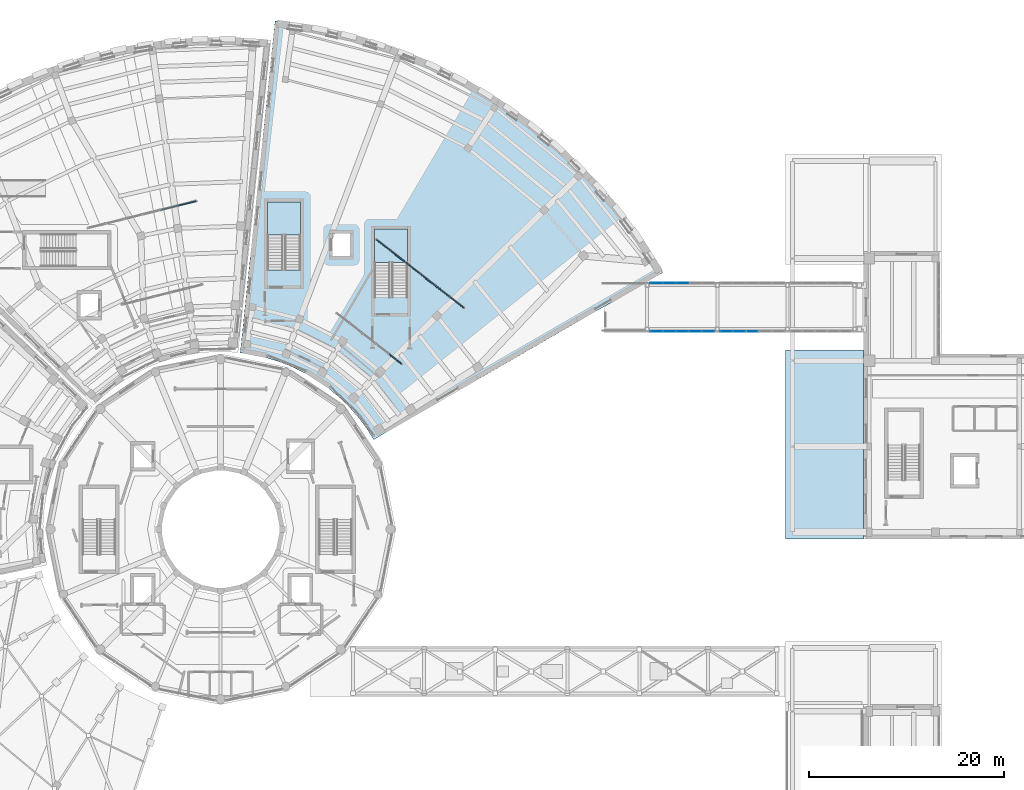
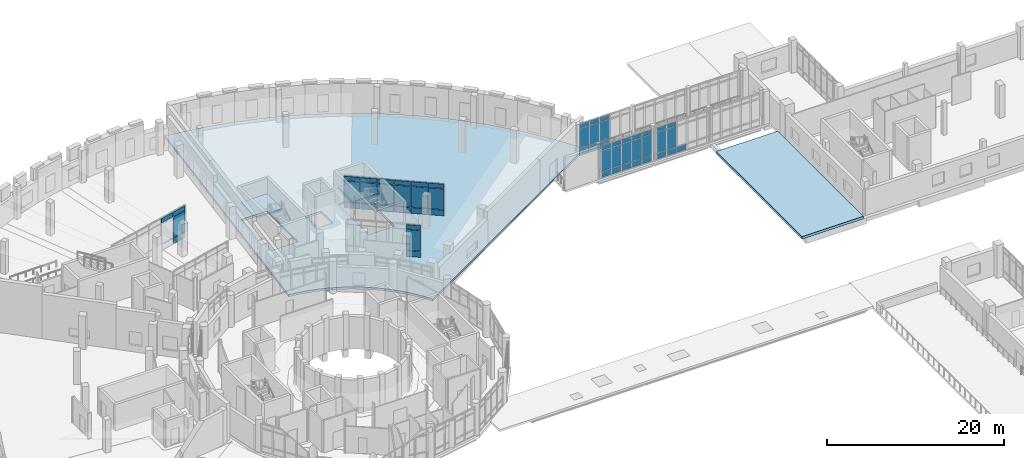
# One storey, part 42 of 75: 56 plates, 4 slabs, 8 elements without a shape of their own.
"""IFC4 building model written with IfcOpenShell, lengths in metres."""

from ifc_helpers import new_model, si_unit, direction, frame, origin, origin_2d, place, context, subcontext, project, spatial, polyline, rectangle, outline, extrude, material, layer, layer_set, type_object, element, aggregate, save


model = new_model("IFC4")

# Units and contexts
model_context = context("Model", 3, precision=1e-05, world=origin(), true_north=direction((0.0, 1.0)))
body_context = subcontext(model_context, "Body", "Model", "MODEL_VIEW")
ifc_project = project(units=[si_unit("LENGTHUNIT", "METRE"), si_unit("AREAUNIT", "SQUARE_METRE"), si_unit("VOLUMEUNIT", "CUBIC_METRE"), si_unit("PLANEANGLEUNIT", "RADIAN"), si_unit("MASSUNIT", "GRAM", prefix="KILO")], contexts=[model_context])

# Site, building, storey
site_placement = place(None, origin())
site = spatial("IfcSite", under=ifc_project, at=site_placement, CompositionType="ELEMENT")
building_placement = place(site_placement, origin())
building = spatial("IfcBuilding", under=site, at=building_placement, Name="Soyqirgoq Riverine Aquarium", CompositionType="ELEMENT")
storey_placement = place(building_placement, frame((0.0, 0.0, 10.199951171875)))
storey = spatial("IfcBuildingStorey", under=building, at=storey_placement, Name="L03", CompositionType="ELEMENT", Elevation=10.199951171875)

# Curtain wall, plates
ifc_material_1 = material(Name="Cast polymethyl methacrylate PMMA Habitat Viewing Glazing", Category="glass")
curtain_wall_type_1 = type_object("IfcCurtainWallType", Name="CW_Interior_TankVitrine", PredefinedType="NOTDEFINED", material=ifc_material_1)
curtain_wall_1_placement = place(storey_placement, origin())
curtain_wall_1 = element("IfcCurtainWall", 1, at=curtain_wall_1_placement, inside=storey, type_object=curtain_wall_type_1, Name="V4 L03 Curtain Wall 156", PredefinedType="NOTDEFINED")
ifc_material_2 = material(Name="Cast polymethyl methacrylate PMMA", Category="glass")
ifc_layer_1 = layer(ifc_material_2, 0.1201171875)
ifc_layer_set_1 = layer_set([ifc_layer_1], Name="Cast polymethyl methacrylate PMMA")
plate_type_1 = type_object("IfcPlateType", Name="CWAcrylicPanel_120", PredefinedType="CURTAIN_PANEL", material=ifc_layer_set_1)
plate_1_placement = place(storey_placement, frame((52.5927734375, 90.4560546875, 0.074951171875), z_axis=(0.0, 0.0, 1.0), x_axis=(-0.970294737313, -0.241925862079, 0.0)))
plate_1 = element("IfcPlate", 2, at=plate_1_placement, type_object=plate_type_1, Name="CW-07 panel 1.1", PredefinedType="CURTAIN_PANEL", context=body_context, shape_type="SweptSolid", body=[
    extrude(rectangle(XDim=1.80322265625, YDim=0.1201171875, at=origin_2d()), origin(), (0.0, 0.0, 1.0), 0.78759765625),
])
plate_2_placement = place(storey_placement, frame((52.5927734375, 90.4560546875, 0.9375), z_axis=(0.0, 0.0, 1.0), x_axis=(-0.970294737313, -0.241925862079, 0.0)))
plate_2 = element("IfcPlate", 3, at=plate_2_placement, type_object=plate_type_1, Name="CW-07 panel 1.2", PredefinedType="CURTAIN_PANEL", context=body_context, shape_type="SweptSolid", body=[
    extrude(rectangle(XDim=1.80322265625, YDim=0.1201171875, at=origin_2d()), origin(), (0.0, 0.0, 1.0), 2.844970703125),
])
plate_3_placement = place(storey_placement, frame((52.5927734375, 90.4560546875, 3.857666015625), z_axis=(0.0, 0.0, 1.0), x_axis=(-0.970294737313, -0.241925862079, 0.0)))
plate_3 = element("IfcPlate", 4, at=plate_3_placement, type_object=plate_type_1, Name="CW-07 panel 1.3", PredefinedType="CURTAIN_PANEL", context=body_context, shape_type="SweptSolid", body=[
    extrude(rectangle(XDim=1.80322265625, YDim=0.1201171875, at=origin_2d()), origin(), (0.0, 0.0, 1.0), 0.58740234375),
])
plate_4_placement = place(storey_placement, frame((50.746337890625, 89.99560546875, 3.857666015625), z_axis=(0.0, 0.0, 1.0), x_axis=(-0.970294737313, -0.241925862079, 0.0)))
plate_4 = element("IfcPlate", 5, at=plate_4_placement, type_object=plate_type_1, Name="CW-07 panel 2.3", PredefinedType="CURTAIN_PANEL", context=body_context, shape_type="SweptSolid", body=[
    extrude(rectangle(XDim=1.843017578125, YDim=0.1201171875, at=origin_2d()), origin(), (0.0, 0.0, 1.0), 0.58740234375),
])
aggregate(curtain_wall_1, [plate_1, plate_2, plate_3, plate_4])

curtain_wall_2_placement = place(storey_placement, origin())
curtain_wall_2 = element("IfcCurtainWall", 6, at=curtain_wall_2_placement, inside=storey, type_object=curtain_wall_type_1, Name="V5 L03 Curtain Wall 161", PredefinedType="NOTDEFINED")
plate_5_placement = place(storey_placement, frame((73.958740234375, 74.46240234375, 0.074951171875), z_axis=(0.0, 0.0, 1.0), x_axis=(-0.788011077449, 0.615661060826, 0.0)))
plate_5 = element("IfcPlate", 7, at=plate_5_placement, type_object=plate_type_1, Name="CW-07 panel 1.1", PredefinedType="CURTAIN_PANEL", context=body_context, shape_type="SweptSolid", body=[
    extrude(rectangle(XDim=1.59033203125, YDim=0.1201171875, at=origin_2d()), origin(), (0.0, 0.0, 1.0), 0.78759765625),
])
plate_6_placement = place(storey_placement, frame((73.958740234375, 74.46240234375, 0.9375), z_axis=(0.0, 0.0, 1.0), x_axis=(-0.788011077449, 0.615661060826, 0.0)))
plate_6 = element("IfcPlate", 8, at=plate_6_placement, type_object=plate_type_1, Name="CW-07 panel 1.2", PredefinedType="CURTAIN_PANEL", context=body_context, shape_type="SweptSolid", body=[
    extrude(rectangle(XDim=1.59033203125, YDim=0.1201171875, at=origin_2d()), origin(), (0.0, 0.0, 1.0), 2.844970703125),
])
plate_7_placement = place(storey_placement, frame((73.958740234375, 74.46240234375, 3.857666015625), z_axis=(0.0, 0.0, 1.0), x_axis=(-0.788011077449, 0.615661060826, 0.0)))
plate_7 = element("IfcPlate", 9, at=plate_7_placement, type_object=plate_type_1, Name="CW-07 panel 1.3", PredefinedType="CURTAIN_PANEL", context=body_context, shape_type="SweptSolid", body=[
    extrude(rectangle(XDim=1.59033203125, YDim=0.1201171875, at=origin_2d()), origin(), (0.0, 0.0, 1.0), 0.58740234375),
])
aggregate(curtain_wall_2, [plate_5, plate_6, plate_7])

curtain_wall_3_placement = place(storey_placement, origin())
curtain_wall_3 = element("IfcCurtainWall", 10, at=curtain_wall_3_placement, inside=storey, type_object=curtain_wall_type_1, Name="V5 L03 Curtain Wall 162", PredefinedType="NOTDEFINED")
plate_8_placement = place(storey_placement, frame((80.26611328125, 80.282470703125, 0.074951171875), z_axis=(0.0, 0.0, 1.0), x_axis=(-0.788015701833, 0.615655141832, 0.0)))
plate_8 = element("IfcPlate", 11, at=plate_8_placement, type_object=plate_type_1, Name="CW-07 panel 1.1", PredefinedType="CURTAIN_PANEL", context=body_context, shape_type="SweptSolid", body=[
    extrude(rectangle(XDim=1.802978515625, YDim=0.1201171875, at=origin_2d()), origin(), (0.0, 0.0, 1.0), 0.78759765625),
])
plate_9_placement = place(storey_placement, frame((80.26611328125, 80.282470703125, 0.9375), z_axis=(0.0, 0.0, 1.0), x_axis=(-0.788015701833, 0.615655141832, 0.0)))
plate_9 = element("IfcPlate", 12, at=plate_9_placement, type_object=plate_type_1, Name="CW-07 panel 1.2", PredefinedType="CURTAIN_PANEL", context=body_context, shape_type="SweptSolid", body=[
    extrude(rectangle(XDim=1.802978515625, YDim=0.1201171875, at=origin_2d()), origin(), (0.0, 0.0, 1.0), 2.844970703125),
])
plate_10_placement = place(storey_placement, frame((80.26611328125, 80.282470703125, 3.857666015625), z_axis=(0.0, 0.0, 1.0), x_axis=(-0.788015701833, 0.615655141832, 0.0)))
plate_10 = element("IfcPlate", 13, at=plate_10_placement, type_object=plate_type_1, Name="CW-07 panel 1.3", PredefinedType="CURTAIN_PANEL", context=body_context, shape_type="SweptSolid", body=[
    extrude(rectangle(XDim=1.802978515625, YDim=0.1201171875, at=origin_2d()), origin(), (0.0, 0.0, 1.0), 0.58740234375),
])
plate_11_placement = place(storey_placement, frame((78.766357421875, 81.4541015625, 0.074951171875), z_axis=(0.0, 0.0, 1.0), x_axis=(-0.788015701833, 0.615655141832, 0.0)))
plate_11 = element("IfcPlate", 14, at=plate_11_placement, type_object=plate_type_1, Name="CW-07 panel 2.1", PredefinedType="CURTAIN_PANEL", context=body_context, shape_type="SweptSolid", body=[
    extrude(rectangle(XDim=1.843017578125, YDim=0.1201171875, at=origin_2d()), origin(), (0.0, 0.0, 1.0), 0.78759765625),
])
plate_12_placement = place(storey_placement, frame((78.766357421875, 81.4541015625, 0.9375), z_axis=(0.0, 0.0, 1.0), x_axis=(-0.788015701833, 0.615655141832, 0.0)))
plate_12 = element("IfcPlate", 15, at=plate_12_placement, type_object=plate_type_1, Name="CW-07 panel 2.2", PredefinedType="CURTAIN_PANEL", context=body_context, shape_type="SweptSolid", body=[
    extrude(rectangle(XDim=1.843017578125, YDim=0.1201171875, at=origin_2d()), origin(), (0.0, 0.0, 1.0), 2.844970703125),
])
plate_13_placement = place(storey_placement, frame((78.766357421875, 81.4541015625, 3.857666015625), z_axis=(0.0, 0.0, 1.0), x_axis=(-0.788015701833, 0.615655141832, 0.0)))
plate_13 = element("IfcPlate", 16, at=plate_13_placement, type_object=plate_type_1, Name="CW-07 panel 2.3", PredefinedType="CURTAIN_PANEL", context=body_context, shape_type="SweptSolid", body=[
    extrude(rectangle(XDim=1.843017578125, YDim=0.1201171875, at=origin_2d()), origin(), (0.0, 0.0, 1.0), 0.58740234375),
])
plate_14_placement = place(storey_placement, frame((77.2509765625, 82.63818359375, 0.074951171875), z_axis=(0.0, 0.0, 1.0), x_axis=(-0.788015701833, 0.615655141832, 0.0)))
plate_14 = element("IfcPlate", 17, at=plate_14_placement, type_object=plate_type_1, Name="CW-07 panel 3.1", PredefinedType="CURTAIN_PANEL", context=body_context, shape_type="SweptSolid", body=[
    extrude(rectangle(XDim=1.843017578125, YDim=0.1201171875, at=origin_2d()), origin(), (0.0, 0.0, 1.0), 0.78759765625),
])
plate_15_placement = place(storey_placement, frame((77.2509765625, 82.63818359375, 0.9375), z_axis=(0.0, 0.0, 1.0), x_axis=(-0.788015701833, 0.615655141832, 0.0)))
plate_15 = element("IfcPlate", 18, at=plate_15_placement, type_object=plate_type_1, Name="CW-07 panel 3.2", PredefinedType="CURTAIN_PANEL", context=body_context, shape_type="SweptSolid", body=[
    extrude(rectangle(XDim=1.843017578125, YDim=0.1201171875, at=origin_2d()), origin(), (0.0, 0.0, 1.0), 2.844970703125),
])
plate_16_placement = place(storey_placement, frame((77.2509765625, 82.63818359375, 3.857666015625), z_axis=(0.0, 0.0, 1.0), x_axis=(-0.788015701833, 0.615655141832, 0.0)))
plate_16 = element("IfcPlate", 19, at=plate_16_placement, type_object=plate_type_1, Name="CW-07 panel 3.3", PredefinedType="CURTAIN_PANEL", context=body_context, shape_type="SweptSolid", body=[
    extrude(rectangle(XDim=1.843017578125, YDim=0.1201171875, at=origin_2d()), origin(), (0.0, 0.0, 1.0), 0.58740234375),
])
plate_17_placement = place(storey_placement, frame((75.735595703125, 83.822021484375, 0.074951171875), z_axis=(0.0, 0.0, 1.0), x_axis=(-0.788015701833, 0.615655141832, 0.0)))
plate_17 = element("IfcPlate", 20, at=plate_17_placement, type_object=plate_type_1, Name="CW-07 panel 4.1", PredefinedType="CURTAIN_PANEL", context=body_context, shape_type="SweptSolid", body=[
    extrude(rectangle(XDim=1.843017578125, YDim=0.1201171875, at=origin_2d()), origin(), (0.0, 0.0, 1.0), 0.78759765625),
])
plate_18_placement = place(storey_placement, frame((75.735595703125, 83.822021484375, 0.9375), z_axis=(0.0, 0.0, 1.0), x_axis=(-0.788015701833, 0.615655141832, 0.0)))
plate_18 = element("IfcPlate", 21, at=plate_18_placement, type_object=plate_type_1, Name="CW-07 panel 4.2", PredefinedType="CURTAIN_PANEL", context=body_context, shape_type="SweptSolid", body=[
    extrude(rectangle(XDim=1.843017578125, YDim=0.1201171875, at=origin_2d()), origin(), (0.0, 0.0, 1.0), 2.844970703125),
])
plate_19_placement = place(storey_placement, frame((75.735595703125, 83.822021484375, 3.857666015625), z_axis=(0.0, 0.0, 1.0), x_axis=(-0.788015701833, 0.615655141832, 0.0)))
plate_19 = element("IfcPlate", 22, at=plate_19_placement, type_object=plate_type_1, Name="CW-07 panel 4.3", PredefinedType="CURTAIN_PANEL", context=body_context, shape_type="SweptSolid", body=[
    extrude(rectangle(XDim=1.843017578125, YDim=0.1201171875, at=origin_2d()), origin(), (0.0, 0.0, 1.0), 0.58740234375),
])
plate_20_placement = place(storey_placement, frame((74.219970703125, 85.006103515625, 0.074951171875), z_axis=(0.0, 0.0, 1.0), x_axis=(-0.788015701833, 0.615655141832, 0.0)))
plate_20 = element("IfcPlate", 23, at=plate_20_placement, type_object=plate_type_1, Name="CW-07 panel 5.1", PredefinedType="CURTAIN_PANEL", context=body_context, shape_type="SweptSolid", body=[
    extrude(rectangle(XDim=1.843017578125, YDim=0.1201171875, at=origin_2d()), origin(), (0.0, 0.0, 1.0), 0.78759765625),
])
plate_21_placement = place(storey_placement, frame((74.219970703125, 85.006103515625, 0.9375), z_axis=(0.0, 0.0, 1.0), x_axis=(-0.788015701833, 0.615655141832, 0.0)))
plate_21 = element("IfcPlate", 24, at=plate_21_placement, type_object=plate_type_1, Name="CW-07 panel 5.2", PredefinedType="CURTAIN_PANEL", context=body_context, shape_type="SweptSolid", body=[
    extrude(rectangle(XDim=1.843017578125, YDim=0.1201171875, at=origin_2d()), origin(), (0.0, 0.0, 1.0), 2.844970703125),
])
plate_22_placement = place(storey_placement, frame((74.219970703125, 85.006103515625, 3.857666015625), z_axis=(0.0, 0.0, 1.0), x_axis=(-0.788015701833, 0.615655141832, 0.0)))
plate_22 = element("IfcPlate", 25, at=plate_22_placement, type_object=plate_type_1, Name="CW-07 panel 5.3", PredefinedType="CURTAIN_PANEL", context=body_context, shape_type="SweptSolid", body=[
    extrude(rectangle(XDim=1.843017578125, YDim=0.1201171875, at=origin_2d()), origin(), (0.0, 0.0, 1.0), 0.58740234375),
])
plate_23_placement = place(storey_placement, frame((72.720458984375, 86.177734375, 0.074951171875), z_axis=(0.0, 0.0, 1.0), x_axis=(-0.788015701833, 0.615655141832, 0.0)))
plate_23 = element("IfcPlate", 26, at=plate_23_placement, type_object=plate_type_1, Name="CW-07 panel 6.1", PredefinedType="CURTAIN_PANEL", context=body_context, shape_type="SweptSolid", body=[
    extrude(rectangle(XDim=1.802978515625, YDim=0.1201171875, at=origin_2d()), origin(), (0.0, 0.0, 1.0), 0.78759765625),
])
plate_24_placement = place(storey_placement, frame((72.720458984375, 86.177734375, 0.9375), z_axis=(0.0, 0.0, 1.0), x_axis=(-0.788015701833, 0.615655141832, 0.0)))
plate_24 = element("IfcPlate", 27, at=plate_24_placement, type_object=plate_type_1, Name="CW-07 panel 6.2", PredefinedType="CURTAIN_PANEL", context=body_context, shape_type="SweptSolid", body=[
    extrude(rectangle(XDim=1.802978515625, YDim=0.1201171875, at=origin_2d()), origin(), (0.0, 0.0, 1.0), 2.844970703125),
])
plate_25_placement = place(storey_placement, frame((72.720458984375, 86.177734375, 3.857666015625), z_axis=(0.0, 0.0, 1.0), x_axis=(-0.788015701833, 0.615655141832, 0.0)))
plate_25 = element("IfcPlate", 28, at=plate_25_placement, type_object=plate_type_1, Name="CW-07 panel 6.3", PredefinedType="CURTAIN_PANEL", context=body_context, shape_type="SweptSolid", body=[
    extrude(rectangle(XDim=1.802978515625, YDim=0.1201171875, at=origin_2d()), origin(), (0.0, 0.0, 1.0), 0.58740234375),
])
aggregate(curtain_wall_3, [plate_8, plate_9, plate_10, plate_11, plate_12, plate_13, plate_14, plate_15, plate_16, plate_17, plate_18, plate_19, plate_20, plate_21, plate_22, plate_23, plate_24, plate_25])

ifc_material_3 = material(Name="Laminated solar-control bridge curtain wall", Category="aluminium")
curtain_wall_type_2 = type_object("IfcCurtainWallType", Name="CW_Bridge_Concourse", PredefinedType="NOTDEFINED", material=ifc_material_3)
curtain_wall_4_placement = place(storey_placement, origin())
curtain_wall_4 = element("IfcCurtainWall", 29, at=curtain_wall_4_placement, inside=storey, type_object=curtain_wall_type_2, Name="BR-2 L03 Curtain Wall 141", PredefinedType="NOTDEFINED")
ifc_material_4 = material(Name="Triple insulated laminated low-E glass", Category="glass")
ifc_layer_2 = layer(ifc_material_4, 0.0458984375)
ifc_layer_set_2 = layer_set([ifc_layer_2], Name="Triple insulated laminated low-E glass")
plate_type_2 = type_object("IfcPlateType", Name="CWGlazedPanel_46", PredefinedType="CURTAIN_PANEL", material=ifc_layer_set_2)
plate_26_placement = place(storey_placement, frame((100.73193359375, 77.320068359375, 0.074951171875), z_axis=(0.0, 0.0, 1.0), x_axis=(1.0, 0.0, 0.0)))
plate_26 = element("IfcPlate", 30, at=plate_26_placement, type_object=plate_type_2, Name="CW-06 panel 1.1", PredefinedType="CURTAIN_PANEL", context=body_context, shape_type="SweptSolid", body=[
    extrude(rectangle(XDim=1.22412109375, YDim=0.0458984375, at=origin_2d()), origin(), (0.0, 0.0, 1.0), 0.78759765625),
])
plate_27_placement = place(storey_placement, frame((100.73193359375, 77.320068359375, 0.9375), z_axis=(0.0, 0.0, 1.0), x_axis=(1.0, 0.0, 0.0)))
plate_27 = element("IfcPlate", 31, at=plate_27_placement, type_object=plate_type_2, Name="CW-06 panel 1.2", PredefinedType="CURTAIN_PANEL", context=body_context, shape_type="SweptSolid", body=[
    extrude(rectangle(XDim=1.22412109375, YDim=0.0458984375, at=origin_2d()), origin(), (0.0, 0.0, 1.0), 2.824951171875),
])
plate_28_placement = place(storey_placement, frame((100.73193359375, 77.320068359375, 3.837646484375), z_axis=(0.0, 0.0, 1.0), x_axis=(1.0, 0.0, 0.0)))
plate_28 = element("IfcPlate", 32, at=plate_28_placement, type_object=plate_type_2, Name="CW-06 panel 1.3", PredefinedType="CURTAIN_PANEL", context=body_context, shape_type="SweptSolid", body=[
    extrude(rectangle(XDim=1.22412109375, YDim=0.0458984375, at=origin_2d()), origin(), (0.0, 0.0, 1.0), 0.58740234375),
])
plate_29_placement = place(storey_placement, frame((102.055908203125, 77.320068359375, 0.074951171875), z_axis=(0.0, 0.0, 1.0), x_axis=(1.0, 0.0, 0.0)))
plate_29 = element("IfcPlate", 33, at=plate_29_placement, type_object=plate_type_2, Name="CW-06 panel 2.1", PredefinedType="CURTAIN_PANEL", context=body_context, shape_type="SweptSolid", body=[
    extrude(rectangle(XDim=1.263916015625, YDim=0.0458984375, at=origin_2d()), origin(), (0.0, 0.0, 1.0), 0.78759765625),
])
plate_30_placement = place(storey_placement, frame((102.055908203125, 77.320068359375, 0.9375), z_axis=(0.0, 0.0, 1.0), x_axis=(1.0, 0.0, 0.0)))
plate_30 = element("IfcPlate", 34, at=plate_30_placement, type_object=plate_type_2, Name="CW-06 panel 2.2", PredefinedType="CURTAIN_PANEL", context=body_context, shape_type="SweptSolid", body=[
    extrude(rectangle(XDim=1.263916015625, YDim=0.0458984375, at=origin_2d()), origin(), (0.0, 0.0, 1.0), 2.824951171875),
])
plate_31_placement = place(storey_placement, frame((102.055908203125, 77.320068359375, 3.837646484375), z_axis=(0.0, 0.0, 1.0), x_axis=(1.0, 0.0, 0.0)))
plate_31 = element("IfcPlate", 35, at=plate_31_placement, type_object=plate_type_2, Name="CW-06 panel 2.3", PredefinedType="CURTAIN_PANEL", context=body_context, shape_type="SweptSolid", body=[
    extrude(rectangle(XDim=1.263916015625, YDim=0.0458984375, at=origin_2d()), origin(), (0.0, 0.0, 1.0), 0.58740234375),
])
plate_32_placement = place(storey_placement, frame((103.39990234375, 77.320068359375, 0.074951171875), z_axis=(0.0, 0.0, 1.0), x_axis=(1.0, 0.0, 0.0)))
plate_32 = element("IfcPlate", 36, at=plate_32_placement, type_object=plate_type_2, Name="CW-06 panel 3.1", PredefinedType="CURTAIN_PANEL", context=body_context, shape_type="SweptSolid", body=[
    extrude(rectangle(XDim=1.263916015625, YDim=0.0458984375, at=origin_2d()), origin(), (0.0, 0.0, 1.0), 0.78759765625),
])
plate_33_placement = place(storey_placement, frame((103.39990234375, 77.320068359375, 0.9375), z_axis=(0.0, 0.0, 1.0), x_axis=(1.0, 0.0, 0.0)))
plate_33 = element("IfcPlate", 37, at=plate_33_placement, type_object=plate_type_2, Name="CW-06 panel 3.2", PredefinedType="CURTAIN_PANEL", context=body_context, shape_type="SweptSolid", body=[
    extrude(rectangle(XDim=1.263916015625, YDim=0.0458984375, at=origin_2d()), origin(), (0.0, 0.0, 1.0), 2.824951171875),
])
plate_34_placement = place(storey_placement, frame((103.39990234375, 77.320068359375, 3.837646484375), z_axis=(0.0, 0.0, 1.0), x_axis=(1.0, 0.0, 0.0)))
plate_34 = element("IfcPlate", 38, at=plate_34_placement, type_object=plate_type_2, Name="CW-06 panel 3.3", PredefinedType="CURTAIN_PANEL", context=body_context, shape_type="SweptSolid", body=[
    extrude(rectangle(XDim=1.263916015625, YDim=0.0458984375, at=origin_2d()), origin(), (0.0, 0.0, 1.0), 0.58740234375),
])
plate_35_placement = place(storey_placement, frame((104.743896484375, 77.320068359375, 0.074951171875), z_axis=(0.0, 0.0, 1.0), x_axis=(1.0, 0.0, 0.0)))
plate_35 = element("IfcPlate", 39, at=plate_35_placement, type_object=plate_type_2, Name="CW-06 panel 4.1", PredefinedType="CURTAIN_PANEL", context=body_context, shape_type="SweptSolid", body=[
    extrude(rectangle(XDim=1.263916015625, YDim=0.0458984375, at=origin_2d()), origin(), (0.0, 0.0, 1.0), 0.78759765625),
])
plate_36_placement = place(storey_placement, frame((104.743896484375, 77.320068359375, 0.9375), z_axis=(0.0, 0.0, 1.0), x_axis=(1.0, 0.0, 0.0)))
plate_36 = element("IfcPlate", 40, at=plate_36_placement, type_object=plate_type_2, Name="CW-06 panel 4.2", PredefinedType="CURTAIN_PANEL", context=body_context, shape_type="SweptSolid", body=[
    extrude(rectangle(XDim=1.263916015625, YDim=0.0458984375, at=origin_2d()), origin(), (0.0, 0.0, 1.0), 2.824951171875),
])
plate_37_placement = place(storey_placement, frame((104.743896484375, 77.320068359375, 3.837646484375), z_axis=(0.0, 0.0, 1.0), x_axis=(1.0, 0.0, 0.0)))
plate_37 = element("IfcPlate", 41, at=plate_37_placement, type_object=plate_type_2, Name="CW-06 panel 4.3", PredefinedType="CURTAIN_PANEL", context=body_context, shape_type="SweptSolid", body=[
    extrude(rectangle(XDim=1.263916015625, YDim=0.0458984375, at=origin_2d()), origin(), (0.0, 0.0, 1.0), 0.58740234375),
])
plate_38_placement = place(storey_placement, frame((106.068115234375, 77.320068359375, 0.074951171875), z_axis=(0.0, 0.0, 1.0), x_axis=(1.0, 0.0, 0.0)))
plate_38 = element("IfcPlate", 42, at=plate_38_placement, type_object=plate_type_2, Name="CW-06 panel 5.1", PredefinedType="CURTAIN_PANEL", context=body_context, shape_type="SweptSolid", body=[
    extrude(rectangle(XDim=1.22412109375, YDim=0.0458984375, at=origin_2d()), origin(), (0.0, 0.0, 1.0), 0.78759765625),
])
plate_39_placement = place(storey_placement, frame((106.068115234375, 77.320068359375, 0.9375), z_axis=(0.0, 0.0, 1.0), x_axis=(1.0, 0.0, 0.0)))
plate_39 = element("IfcPlate", 43, at=plate_39_placement, type_object=plate_type_2, Name="CW-06 panel 5.2", PredefinedType="CURTAIN_PANEL", context=body_context, shape_type="SweptSolid", body=[
    extrude(rectangle(XDim=1.22412109375, YDim=0.0458984375, at=origin_2d()), origin(), (0.0, 0.0, 1.0), 2.824951171875),
])
plate_40_placement = place(storey_placement, frame((106.068115234375, 77.320068359375, 3.837646484375), z_axis=(0.0, 0.0, 1.0), x_axis=(1.0, 0.0, 0.0)))
plate_40 = element("IfcPlate", 44, at=plate_40_placement, type_object=plate_type_2, Name="CW-06 panel 5.3", PredefinedType="CURTAIN_PANEL", context=body_context, shape_type="SweptSolid", body=[
    extrude(rectangle(XDim=1.22412109375, YDim=0.0458984375, at=origin_2d()), origin(), (0.0, 0.0, 1.0), 0.58740234375),
])
aggregate(curtain_wall_4, [plate_26, plate_27, plate_28, plate_29, plate_30, plate_31, plate_32, plate_33, plate_34, plate_35, plate_36, plate_37, plate_38, plate_39, plate_40])

curtain_wall_5_placement = place(storey_placement, origin())
curtain_wall_5 = element("IfcCurtainWall", 45, at=curtain_wall_5_placement, inside=storey, type_object=curtain_wall_type_2, Name="BR-2 L03 Curtain Wall 142", PredefinedType="NOTDEFINED")
plate_41_placement = place(storey_placement, frame((107.931884765625, 77.320068359375, 0.074951171875), z_axis=(0.0, 0.0, 1.0), x_axis=(1.0, 0.0, 0.0)))
plate_41 = element("IfcPlate", 46, at=plate_41_placement, type_object=plate_type_2, Name="CW-06 panel 1.1", PredefinedType="CURTAIN_PANEL", context=body_context, shape_type="SweptSolid", body=[
    extrude(rectangle(XDim=1.22412109375, YDim=0.0458984375, at=origin_2d()), origin(), (0.0, 0.0, 1.0), 0.78759765625),
])
plate_42_placement = place(storey_placement, frame((107.931884765625, 77.320068359375, 0.9375), z_axis=(0.0, 0.0, 1.0), x_axis=(1.0, 0.0, 0.0)))
plate_42 = element("IfcPlate", 47, at=plate_42_placement, type_object=plate_type_2, Name="CW-06 panel 1.2", PredefinedType="CURTAIN_PANEL", context=body_context, shape_type="SweptSolid", body=[
    extrude(rectangle(XDim=1.22412109375, YDim=0.0458984375, at=origin_2d()), origin(), (0.0, 0.0, 1.0), 2.824951171875),
])
plate_43_placement = place(storey_placement, frame((107.931884765625, 77.320068359375, 3.837646484375), z_axis=(0.0, 0.0, 1.0), x_axis=(1.0, 0.0, 0.0)))
plate_43 = element("IfcPlate", 48, at=plate_43_placement, type_object=plate_type_2, Name="CW-06 panel 1.3", PredefinedType="CURTAIN_PANEL", context=body_context, shape_type="SweptSolid", body=[
    extrude(rectangle(XDim=1.22412109375, YDim=0.0458984375, at=origin_2d()), origin(), (0.0, 0.0, 1.0), 0.58740234375),
])
plate_44_placement = place(storey_placement, frame((109.256103515625, 77.320068359375, 0.074951171875), z_axis=(0.0, 0.0, 1.0), x_axis=(1.0, 0.0, 0.0)))
plate_44 = element("IfcPlate", 49, at=plate_44_placement, type_object=plate_type_2, Name="CW-06 panel 2.1", PredefinedType="CURTAIN_PANEL", context=body_context, shape_type="SweptSolid", body=[
    extrude(rectangle(XDim=1.263916015625, YDim=0.0458984375, at=origin_2d()), origin(), (0.0, 0.0, 1.0), 0.78759765625),
])
plate_45_placement = place(storey_placement, frame((109.256103515625, 77.320068359375, 0.9375), z_axis=(0.0, 0.0, 1.0), x_axis=(1.0, 0.0, 0.0)))
plate_45 = element("IfcPlate", 50, at=plate_45_placement, type_object=plate_type_2, Name="CW-06 panel 2.2", PredefinedType="CURTAIN_PANEL", context=body_context, shape_type="SweptSolid", body=[
    extrude(rectangle(XDim=1.263916015625, YDim=0.0458984375, at=origin_2d()), origin(), (0.0, 0.0, 1.0), 2.824951171875),
])
plate_46_placement = place(storey_placement, frame((109.256103515625, 77.320068359375, 3.837646484375), z_axis=(0.0, 0.0, 1.0), x_axis=(1.0, 0.0, 0.0)))
plate_46 = element("IfcPlate", 51, at=plate_46_placement, type_object=plate_type_2, Name="CW-06 panel 2.3", PredefinedType="CURTAIN_PANEL", context=body_context, shape_type="SweptSolid", body=[
    extrude(rectangle(XDim=1.263916015625, YDim=0.0458984375, at=origin_2d()), origin(), (0.0, 0.0, 1.0), 0.58740234375),
])
plate_47_placement = place(storey_placement, frame((110.60009765625, 77.320068359375, 0.074951171875), z_axis=(0.0, 0.0, 1.0), x_axis=(1.0, 0.0, 0.0)))
plate_47 = element("IfcPlate", 52, at=plate_47_placement, type_object=plate_type_2, Name="CW-06 panel 3.1", PredefinedType="CURTAIN_PANEL", context=body_context, shape_type="SweptSolid", body=[
    extrude(rectangle(XDim=1.263916015625, YDim=0.0458984375, at=origin_2d()), origin(), (0.0, 0.0, 1.0), 0.78759765625),
])
aggregate(curtain_wall_5, [plate_41, plate_42, plate_43, plate_44, plate_45, plate_46, plate_47])

curtain_wall_6_placement = place(storey_placement, origin())
curtain_wall_6 = element("IfcCurtainWall", 53, at=curtain_wall_6_placement, inside=storey, type_object=curtain_wall_type_2, Name="BR-2 L03 Curtain Wall 144", PredefinedType="NOTDEFINED")
ifc_material_5 = material(Name="Insulated shadow-box aluminium spandrel panel", Category="aluminium")
ifc_layer_3 = layer(ifc_material_5, 0.06005859375)
ifc_layer_set_3 = layer_set([ifc_layer_3], Name="Insulated shadow-box aluminium spandrel panel")
plate_type_3 = type_object("IfcPlateType", Name="CWSpandrelPanel_60", PredefinedType="CURTAIN_PANEL", material=ifc_layer_set_3)
plate_48_placement = place(storey_placement, frame((100.73193359375, 82.280029296875, 0.074951171875), z_axis=(0.0, 0.0, 1.0), x_axis=(1.0, 0.0, 0.0)))
plate_48 = element("IfcPlate", 54, at=plate_48_placement, type_object=plate_type_3, Name="CW-06 panel 1.1", PredefinedType="CURTAIN_PANEL", context=body_context, shape_type="SweptSolid", body=[
    extrude(rectangle(XDim=1.22412109375, YDim=0.06005859375, at=origin_2d()), origin(), (0.0, 0.0, 1.0), 0.78759765625),
])
plate_49_placement = place(storey_placement, frame((100.73193359375, 82.280029296875, 0.9375), z_axis=(0.0, 0.0, 1.0), x_axis=(1.0, 0.0, 0.0)))
plate_49 = element("IfcPlate", 55, at=plate_49_placement, type_object=plate_type_3, Name="CW-06 panel 1.2", PredefinedType="CURTAIN_PANEL", context=body_context, shape_type="SweptSolid", body=[
    extrude(rectangle(XDim=1.22412109375, YDim=0.06005859375, at=origin_2d()), origin(), (0.0, 0.0, 1.0), 2.824951171875),
])
plate_50_placement = place(storey_placement, frame((100.73193359375, 82.280029296875, 3.837646484375), z_axis=(0.0, 0.0, 1.0), x_axis=(1.0, 0.0, 0.0)))
plate_50 = element("IfcPlate", 56, at=plate_50_placement, type_object=plate_type_3, Name="CW-06 panel 1.3", PredefinedType="CURTAIN_PANEL", context=body_context, shape_type="SweptSolid", body=[
    extrude(rectangle(XDim=1.22412109375, YDim=0.06005859375, at=origin_2d()), origin(), (0.0, 0.0, 1.0), 0.58740234375),
])
plate_51_placement = place(storey_placement, frame((102.055908203125, 82.280029296875, 0.074951171875), z_axis=(0.0, 0.0, 1.0), x_axis=(1.0, 0.0, 0.0)))
plate_51 = element("IfcPlate", 57, at=plate_51_placement, type_object=plate_type_3, Name="CW-06 panel 2.1", PredefinedType="CURTAIN_PANEL", context=body_context, shape_type="SweptSolid", body=[
    extrude(rectangle(XDim=1.263916015625, YDim=0.06005859375, at=origin_2d()), origin(), (0.0, 0.0, 1.0), 0.78759765625),
])
plate_52_placement = place(storey_placement, frame((102.055908203125, 82.280029296875, 0.9375), z_axis=(0.0, 0.0, 1.0), x_axis=(1.0, 0.0, 0.0)))
plate_52 = element("IfcPlate", 58, at=plate_52_placement, type_object=plate_type_3, Name="CW-06 panel 2.2", PredefinedType="CURTAIN_PANEL", context=body_context, shape_type="SweptSolid", body=[
    extrude(rectangle(XDim=1.263916015625, YDim=0.06005859375, at=origin_2d()), origin(), (0.0, 0.0, 1.0), 2.824951171875),
])
plate_53_placement = place(storey_placement, frame((102.055908203125, 82.280029296875, 3.837646484375), z_axis=(0.0, 0.0, 1.0), x_axis=(1.0, 0.0, 0.0)))
plate_53 = element("IfcPlate", 59, at=plate_53_placement, type_object=plate_type_3, Name="CW-06 panel 2.3", PredefinedType="CURTAIN_PANEL", context=body_context, shape_type="SweptSolid", body=[
    extrude(rectangle(XDim=1.263916015625, YDim=0.06005859375, at=origin_2d()), origin(), (0.0, 0.0, 1.0), 0.58740234375),
])
plate_54_placement = place(storey_placement, frame((103.39990234375, 82.280029296875, 0.074951171875), z_axis=(0.0, 0.0, 1.0), x_axis=(1.0, 0.0, 0.0)))
plate_54 = element("IfcPlate", 60, at=plate_54_placement, type_object=plate_type_3, Name="CW-06 panel 3.1", PredefinedType="CURTAIN_PANEL", context=body_context, shape_type="SweptSolid", body=[
    extrude(rectangle(XDim=1.263916015625, YDim=0.06005859375, at=origin_2d()), origin(), (0.0, 0.0, 1.0), 0.78759765625),
])
plate_55_placement = place(storey_placement, frame((103.39990234375, 82.280029296875, 0.9375), z_axis=(0.0, 0.0, 1.0), x_axis=(1.0, 0.0, 0.0)))
plate_55 = element("IfcPlate", 61, at=plate_55_placement, type_object=plate_type_3, Name="CW-06 panel 3.2", PredefinedType="CURTAIN_PANEL", context=body_context, shape_type="SweptSolid", body=[
    extrude(rectangle(XDim=1.263916015625, YDim=0.06005859375, at=origin_2d()), origin(), (0.0, 0.0, 1.0), 2.824951171875),
])
plate_56_placement = place(storey_placement, frame((103.39990234375, 82.280029296875, 3.837646484375), z_axis=(0.0, 0.0, 1.0), x_axis=(1.0, 0.0, 0.0)))
plate_56 = element("IfcPlate", 62, at=plate_56_placement, type_object=plate_type_3, Name="CW-06 panel 3.3", PredefinedType="CURTAIN_PANEL", context=body_context, shape_type="SweptSolid", body=[
    extrude(rectangle(XDim=1.263916015625, YDim=0.06005859375, at=origin_2d()), origin(), (0.0, 0.0, 1.0), 0.58740234375),
])
aggregate(curtain_wall_6, [plate_48, plate_49, plate_50, plate_51, plate_52, plate_53, plate_54, plate_55, plate_56])

# Stair, slab
ifc_material_6 = material(Name="Concrete C35/45", Category="concrete")
stair_type = type_object("IfcStairType", Name="CoreDoglegStair_RC", PredefinedType="HALF_TURN_STAIR", material=ifc_material_6)
stair_1_placement = place(storey_placement, origin())
stair_1 = element("IfcStair", 63, at=stair_1_placement, inside=storey, type_object=stair_type, Name="L03 Enclosed Exit Stair ST-5", PredefinedType="HALF_TURN_STAIR")
ifc_material_7 = material(Name="Concrete C35/45", Category="concrete")
ifc_layer_4 = layer(ifc_material_7, 0.199951171875)
ifc_layer_set_4 = layer_set([ifc_layer_4], Name="Concrete C35/45")
slab_type_1 = type_object("IfcSlabType", Name="CoreStairLanding_RC", PredefinedType="LANDING", material=ifc_layer_set_4)
slab_1_placement = place(storey_placement, frame((0.0, 0.0, 2.199951171875)))
slab_1 = element("IfcSlab", 64, at=slab_1_placement, type_object=slab_type_1, Name="ST-5 landing 1", PredefinedType="LANDING", context=body_context, shape_type="SweptSolid", body=[
    extrude(outline(polyline([(64.199951171875, 87.199951171875), (64.199951171875, 90.60009765625), (60.800048828125, 90.60009765625), (60.800048828125, 87.199951171875), (64.199951171875, 87.199951171875)])), origin(), (0.0, 0.0, 1.0), 0.2001953125),
])
aggregate(stair_1, [slab_1])

stair_2_placement = place(storey_placement, origin())
stair_2 = element("IfcStair", 65, at=stair_2_placement, inside=storey, type_object=stair_type, Name="L03 Enclosed Exit Stair ST-6", PredefinedType="HALF_TURN_STAIR")
slab_2_placement = place(storey_placement, frame((0.0, 0.0, 2.199951171875)))
slab_2 = element("IfcSlab", 66, at=slab_2_placement, type_object=slab_type_1, Name="ST-6 landing 1", PredefinedType="LANDING", context=body_context, shape_type="SweptSolid", body=[
    extrude(outline(polyline([(75.199951171875, 84.39990234375), (75.199951171875, 87.800048828125), (71.800048828125, 87.800048828125), (71.800048828125, 84.39990234375), (75.199951171875, 84.39990234375)])), origin(), (0.0, 0.0, 1.0), 0.2001953125),
])
aggregate(stair_2, [slab_2])

# Slabs
ifc_material_8 = material(Name="Concrete C35/45", Category="concrete")
ifc_layer_5 = layer(ifc_material_8, 0.300048828125)
ifc_layer_set_5 = layer_set([ifc_layer_5], Name="Concrete C35/45")
slab_type_2 = type_object("IfcSlabType", Name="FloorSlab_300_C35", PredefinedType="FLOOR", material=ifc_layer_set_5)
slab_3_placement = place(storey_placement, frame((0.0, 0.0, -0.300048828125)))
element("IfcSlab", 67, at=slab_3_placement, inside=storey, type_object=slab_type_2, Name="V5 L03 Suspended Floor Slab", PredefinedType="FLOOR", context=body_context, shape_type="SweptSolid", body=[
    extrude(outline(polyline([(70.15966796875, 68.46630859375), (71.015625, 67.31982421875), (71.72021484375, 66.203125), (101.40771484375, 83.343017578125), (99.2666015625, 86.736328125), (96.80029296875, 90.039306640625), (94.082275390625, 93.138671875), (91.12939453125, 96.01513671875), (87.9599609375, 98.651123046875), (84.593505859375, 101.0302734375), (81.05078125, 103.137939453125), (77.353759765625, 104.961181640625), (73.52490234375, 106.48876953125), (69.587890625, 107.711181640625), (65.5673828125, 108.620849609375), (61.5966796875, 109.196533203125), (58.013427734375, 75.1044921875), (59.3203125, 74.914794921875), (60.7158203125, 74.59912109375), (62.08203125, 74.1748046875), (62.8837890625, 73.85498046875), (62.97412109375, 73.8369140625), (63.041259765625, 73.792236328125), (63.41064453125, 73.644775390625), (64.69384765625, 73.011962890625), (65.92333984375, 72.280517578125), (67.091552734375, 71.454833984375), (68.191650390625, 70.5400390625), (68.81005859375, 69.9375), (68.886474609375, 69.886474609375), (68.931396484375, 69.8193359375), (69.21630859375, 69.541748046875), (70.15966796875, 68.46630859375)]), holes=[polyline([(64.199951171875, 83.625), (64.199951171875, 90.60009765625), (60.800048828125, 90.60009765625), (60.800048828125, 83.625), (64.199951171875, 83.625)]), polyline([(67.35009765625, 84.89990234375), (69.449951171875, 84.89990234375), (69.449951171875, 87.5), (67.35009765625, 87.5), (67.35009765625, 84.89990234375)]), polyline([(75.199951171875, 80.824951171875), (75.199951171875, 87.800048828125), (71.800048828125, 87.800048828125), (71.800048828125, 80.824951171875), (75.199951171875, 80.824951171875)])]), origin(), (0.0, 0.0, 1.0), 0.300048828125),
])
ifc_material_9 = material(Name="Concrete C35/45", Category="concrete")
ifc_layer_6 = layer(ifc_material_9, 0.35009765625)
ifc_layer_set_6 = layer_set([ifc_layer_6], Name="Concrete C35/45")
slab_type_3 = type_object("IfcSlabType", Name="StepRoof_350_C35", PredefinedType="ROOF", material=ifc_layer_set_6)
slab_4_placement = place(storey_placement, frame((0.0, 0.0, -0.349853515625)))
element("IfcSlab", 68, at=slab_4_placement, inside=storey, type_object=slab_type_3, Name="V7 L03 South-West Passage Step Roof", PredefinedType="ROOF", context=body_context, shape_type="SweptSolid", body=[
    extrude(outline(polyline([(114.0, 56.0), (122.0, 56.0), (122.0, 75.39990234375), (114.0, 75.39990234375), (114.0, 56.0)])), origin(), (0.0, 0.0, 1.0), 0.349853515625),
])

save(model, "model.ifc")
